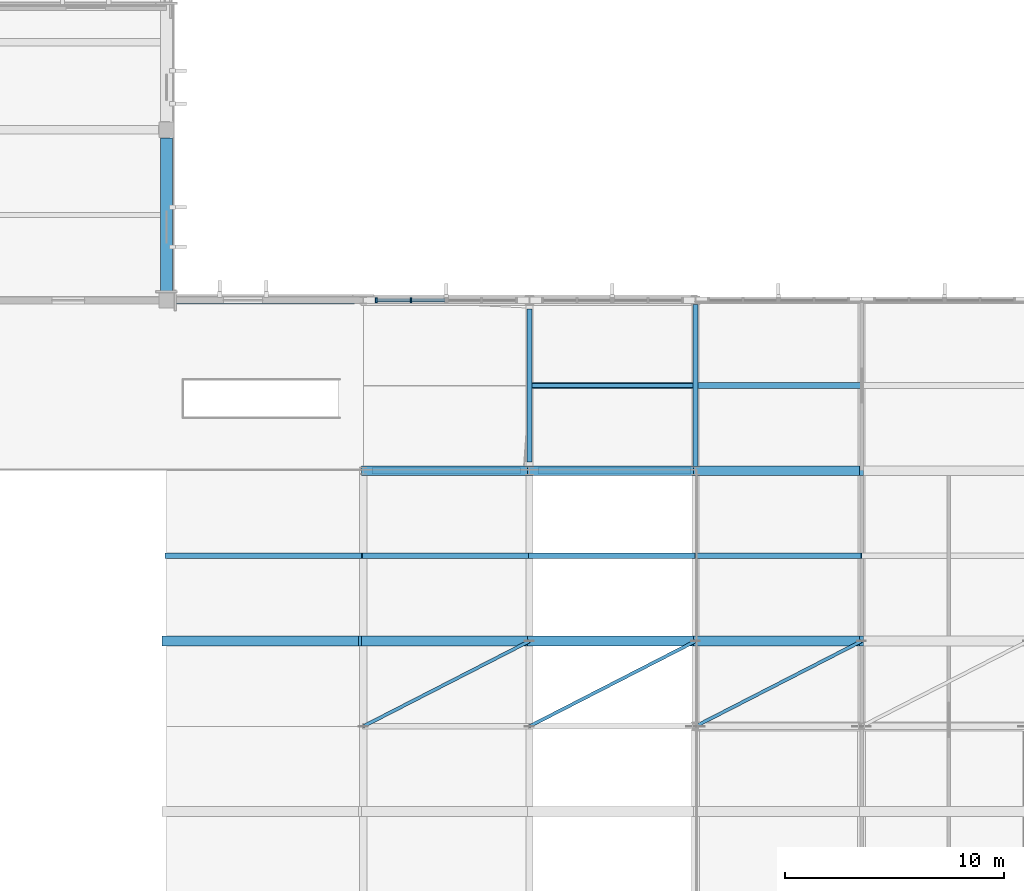
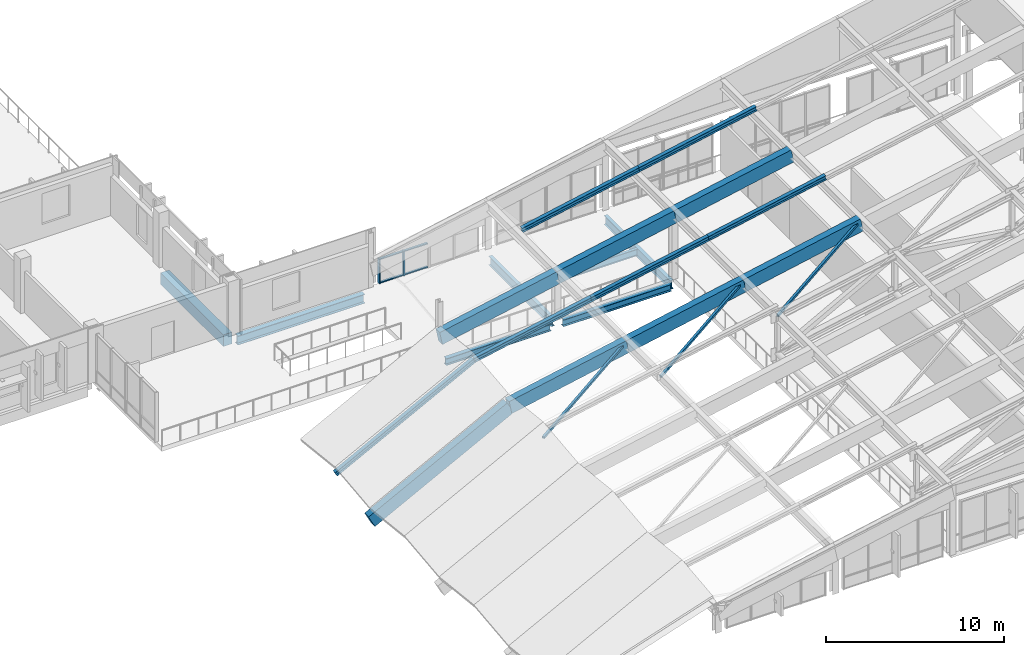
# One storey, part 22 of 73: 15 members, 14 beams, 1 element without a shape of its own.
"""IFC4 building model written with IfcOpenShell, lengths in metres."""

from ifc_helpers import new_model, si_unit, direction, frame, origin, origin_2d, place, context, subcontext, project, spatial, rectangle, hollow_rectangle, i_section, extrude, material, material_profile, profile_set, type_object, element, aggregate, save


model = new_model("IFC4")

# Units and contexts
model_context = context("Model", 3, precision=1e-05, world=origin(), true_north=direction((0.0, 1.0)))
body_context = subcontext(model_context, "Body", "Model", "MODEL_VIEW")
ifc_project = project(units=[si_unit("LENGTHUNIT", "METRE"), si_unit("AREAUNIT", "SQUARE_METRE"), si_unit("VOLUMEUNIT", "CUBIC_METRE"), si_unit("PLANEANGLEUNIT", "RADIAN"), si_unit("MASSUNIT", "GRAM", prefix="KILO")], contexts=[model_context])

# Site, building, storey
site_placement = place(None, origin())
site = spatial("IfcSite", under=ifc_project, at=site_placement, CompositionType="ELEMENT")
building_placement = place(site_placement, origin())
building = spatial("IfcBuilding", under=site, at=building_placement, Name="Vervanel Yard Central Library", CompositionType="ELEMENT")
storey_placement = place(building_placement, frame((0.0, 0.0, 12.780029296875)))
storey = spatial("IfcBuildingStorey", under=building, at=storey_placement, Name="L03", CompositionType="ELEMENT", Elevation=12.780029296875)

# Beams
ifc_material_1 = material(Name="Concrete C40/50", Category="concrete")
ifc_material_profile_1 = material_profile(ifc_material_1, rectangle(XDim=0.550048828125, YDim=0.800048828125, at=origin_2d()), Name="RC 550x800", Category="concrete")
ifc_profile_set_1 = profile_set([ifc_material_profile_1], Name="Concrete C40/50")
beam_type_1 = type_object("IfcBeamType", Name="Concrete Primary Girder 550x800", PredefinedType="BEAM", material=ifc_profile_set_1)
beam_1_placement = place(storey_placement, frame((99.0, 82.574951171875, -0.735107421875), z_axis=(0.0, 1.0, 0.0), x_axis=(-1.0, 0.0, 0.0)))
element("IfcBeam", 1, at=beam_1_placement, inside=storey, type_object=beam_type_1, Name="L03 Girder CB-02 X=99.0 Y=82.2-90.0", PredefinedType="BEAM", context=body_context, shape_type="SweptSolid", body=[
    extrude(rectangle(XDim=0.550048828125, YDim=0.800048828125, at=origin_2d()), origin(), (0.0, 0.0, 1.0), 7.050048828125),
])
ifc_material_2 = material(Name="Concrete C45/55", Category="concrete")
ifc_material_profile_2 = material_profile(ifc_material_2, rectangle(XDim=0.449951171875, YDim=0.89990234375, at=origin_2d()), Name="RC 450x900", Category="concrete")
ifc_profile_set_2 = profile_set([ifc_material_profile_2], Name="Concrete C45/55")
beam_type_2 = type_object("IfcBeamType", Name="Folded Shell Concrete Valley Rib 450x900", PredefinedType="BEAM", material=ifc_profile_set_2)
beam_2_placement = place(storey_placement, frame((99.0, 66.60009765625, -3.4150390625), z_axis=(0.887416545796, 0.0, 0.460968409165), x_axis=(0.0, 1.0, 0.0)))
element("IfcBeam", 2, at=beam_2_placement, inside=storey, type_object=beam_type_2, Name="Folded Shell Valley Rib Bay 2 Y=66.6", PredefinedType="BEAM", context=body_context, shape_type="SweptSolid", body=[
    extrude(rectangle(XDim=0.449951171875, YDim=0.89990234375, at=origin_2d()), origin(), (0.0, 0.0, 1.0), 10.141845703125),
])
for number, where, z_axis, x_axis, name in (
    (3, (108.0, 66.60009765625, 1.260009765625), (0.980653304953, 0.0, 0.195752638515), (0.0, 1.0, 0.0), "Folded Shell Valley Rib Bay 3 Y=66.6"),
    (4, (108.0, 74.39990234375, 1.260009765625), (0.980653304953, 0.0, 0.195752638515), (0.0, 1.0, 0.0), "Folded Shell Valley Rib Bay 3 Y=74.4"),
):
    element("IfcBeam", number, at=place(storey_placement, frame(where, z_axis=z_axis, x_axis=x_axis)), inside=storey, type_object=beam_type_2, Name=name, PredefinedType="BEAM", context=body_context, shape_type="SweptSolid", body=[
        extrude(rectangle(XDim=0.449951171875, YDim=0.89990234375, at=origin_2d()), origin(), (0.0, 0.0, 1.0), 7.75),
    ])
for number, where, z_axis, x_axis, name in (
    (5, (115.60009765625, 66.60009765625, 2.777099609375), (0.980652097773, 0.0, 0.19575868597), (0.0, 1.0, 0.0), "Folded Shell Valley Rib Bay 4 Y=66.6"),
    (6, (115.60009765625, 74.39990234375, 2.777099609375), (0.980652097773, 0.0, 0.19575868597), (0.0, 1.0, 0.0), "Folded Shell Valley Rib Bay 4 Y=74.4"),
):
    element("IfcBeam", number, at=place(storey_placement, frame(where, z_axis=z_axis, x_axis=x_axis)), inside=storey, type_object=beam_type_2, Name=name, PredefinedType="BEAM", context=body_context, shape_type="SweptSolid", body=[
        extrude(rectangle(XDim=0.449951171875, YDim=0.89990234375, at=origin_2d()), origin(), (0.0, 0.0, 1.0), 7.749755859375),
    ])
for number, where, z_axis, x_axis, name in (
    (7, (123.199951171875, 66.60009765625, 4.294189453125), (0.980659351794, 0.0, 0.195722343485), (0.0, 1.0, 0.0), "Folded Shell Valley Rib Bay 5 Y=66.6"),
    (8, (123.199951171875, 74.39990234375, 4.294189453125), (0.980659351794, 0.0, 0.195722343485), (0.0, 1.0, 0.0), "Folded Shell Valley Rib Bay 5 Y=74.4"),
):
    element("IfcBeam", number, at=place(storey_placement, frame(where, z_axis=z_axis, x_axis=x_axis)), inside=storey, type_object=beam_type_2, Name=name, PredefinedType="BEAM", context=body_context, shape_type="SweptSolid", body=[
        extrude(rectangle(XDim=0.449951171875, YDim=0.89990234375, at=origin_2d()), origin(), (0.0, 0.0, 1.0), 7.75),
    ])

# Curtain wall, members
ifc_material_3 = material(Name="Thermally broken anodized aluminium 6063-T6", Category="aluminium")
curtain_wall_type = type_object("IfcCurtainWallType", Name="Prow Cantilever Glazed Curtain Wall", PredefinedType="NOTDEFINED", material=ifc_material_3)
curtain_wall_placement = place(storey_placement, origin())
curtain_wall = element("IfcCurtainWall", 9, at=curtain_wall_placement, inside=storey, type_object=curtain_wall_type, Name="L03 Prow Cantilever Glazed Curtain Wall CWR-L03-108", PredefinedType="NOTDEFINED")
ifc_material_profile_3 = material_profile(ifc_material_3, rectangle(XDim=0.070068359375, YDim=0.219970703125, at=origin_2d()), Name="ALU 70x220", Category="aluminium")
ifc_profile_set_3 = profile_set([ifc_material_profile_3], Name="Thermally broken anodized aluminium 6063-T6")
member_type_1 = type_object("IfcMemberType", Name="Reading Hall Deep Mullion 70x220", PredefinedType="MULLION", material=ifc_profile_set_3)
member_1_placement = place(storey_placement, frame((108.594970703125, 82.199951171875, 0.0), z_axis=(0.0, 0.0, 1.0), x_axis=(1.0, 0.0, 0.0)))
member_1 = element("IfcMember", 10, at=member_1_placement, type_object=member_type_1, Name="CWR-L03-108 Mullion 1", PredefinedType="MULLION", context=body_context, shape_type="SweptSolid", body=[
    extrude(rectangle(XDim=0.070068359375, YDim=0.219970703125, at=origin_2d()), origin(), (0.0, 0.0, 1.0), 1.679931640625),
])
member_2_placement = place(storey_placement, frame((110.179931640625, 82.199951171875, 0.0), z_axis=(0.0, 0.0, 1.0), x_axis=(1.0, 0.0, 0.0)))
member_2 = element("IfcMember", 11, at=member_2_placement, type_object=member_type_1, Name="CWR-L03-108 Mullion 2", PredefinedType="MULLION", context=body_context, shape_type="SweptSolid", body=[
    extrude(rectangle(XDim=0.070068359375, YDim=0.219970703125, at=origin_2d()), origin(), (0.0, 0.0, 1.0), 1.679931640625),
])
ifc_material_profile_4 = material_profile(ifc_material_3, rectangle(XDim=0.070068359375, YDim=0.14990234375, at=origin_2d()), Name="ALU 70x150", Category="aluminium")
ifc_profile_set_4 = profile_set([ifc_material_profile_4], Name="Thermally broken anodized aluminium 6063-T6")
member_type_2 = type_object("IfcMemberType", Name="Reading Hall Deep Transom 70x150", PredefinedType="NOTDEFINED", material=ifc_profile_set_4)
member_3_placement = place(storey_placement, frame((108.6298828125, 82.199951171875, 0.034912109375), z_axis=(1.0, 0.0, 0.0), x_axis=(0.0, 0.0, 1.0)))
member_3 = element("IfcMember", 12, at=member_3_placement, type_object=member_type_2, Name="CWR-L03-108 Transom B1-T1", ObjectType="TRANSOM", PredefinedType="USERDEFINED", context=body_context, shape_type="SweptSolid", body=[
    extrude(rectangle(XDim=0.070068359375, YDim=0.14990234375, at=origin_2d()), origin(), (0.0, 0.0, 1.0), 1.51513671875),
])
member_4_placement = place(storey_placement, frame((108.6298828125, 82.199951171875, 1.64501953125), z_axis=(1.0, 0.0, 0.0), x_axis=(0.0, 0.0, 1.0)))
member_4 = element("IfcMember", 13, at=member_4_placement, type_object=member_type_2, Name="CWR-L03-108 Transom B1-T2", ObjectType="TRANSOM", PredefinedType="USERDEFINED", context=body_context, shape_type="SweptSolid", body=[
    extrude(rectangle(XDim=0.070068359375, YDim=0.14990234375, at=origin_2d()), origin(), (0.0, 0.0, 1.0), 1.51513671875),
])
member_5_placement = place(storey_placement, frame((110.215087890625, 82.199951171875, 0.034912109375), z_axis=(1.0, 0.0, 0.0), x_axis=(0.0, 0.0, 1.0)))
member_5 = element("IfcMember", 14, at=member_5_placement, type_object=member_type_2, Name="CWR-L03-108 Transom B2-T1", ObjectType="TRANSOM", PredefinedType="USERDEFINED", context=body_context, shape_type="SweptSolid", body=[
    extrude(rectangle(XDim=0.070068359375, YDim=0.14990234375, at=origin_2d()), origin(), (0.0, 0.0, 1.0), 1.514892578125),
])
member_6_placement = place(storey_placement, frame((110.215087890625, 82.199951171875, 1.64501953125), z_axis=(1.0, 0.0, 0.0), x_axis=(0.0, 0.0, 1.0)))
member_6 = element("IfcMember", 15, at=member_6_placement, type_object=member_type_2, Name="CWR-L03-108 Transom B2-T2", ObjectType="TRANSOM", PredefinedType="USERDEFINED", context=body_context, shape_type="SweptSolid", body=[
    extrude(rectangle(XDim=0.070068359375, YDim=0.14990234375, at=origin_2d()), origin(), (0.0, 0.0, 1.0), 1.514892578125),
])
aggregate(curtain_wall, [member_1, member_2, member_3, member_4, member_5, member_6])

# Members
ifc_material_4 = material(Name="Steel ASTM A500 Grade C", Category="steel")
ifc_material_profile_5 = material_profile(ifc_material_4, hollow_rectangle(XDim=0.15234375, YDim=0.15234375, WallThickness=0.0087890625, at=origin_2d()), Name="HSS6X6X3/8", Category="steel")
ifc_profile_set_5 = profile_set([ifc_material_profile_5], Name="Steel ASTM A500 Grade C")
member_type_3 = type_object("IfcMemberType", Name="Roof Diaphragm Plan Brace HSS6X6X3/8", PredefinedType="BRACE", material=ifc_profile_set_5)
member_7_placement = place(storey_placement, frame((108.0, 62.699951171875, 1.43994140625), z_axis=(0.875983914444, 0.449529169073, 0.174859108396), x_axis=(-0.45656322619, 0.889690969096, 0.0)))
element("IfcMember", 16, at=member_7_placement, inside=storey, type_object=member_type_3, Name="Shell Diaphragm Plan Brace B3-5", PredefinedType="BRACE", context=body_context, shape_type="SweptSolid", body=[
    extrude(hollow_rectangle(XDim=0.15234375, YDim=0.15234375, WallThickness=0.0087890625, at=origin_2d()), origin(), (0.0, 0.0, 1.0), 8.676025390625),
])
member_8_placement = place(storey_placement, frame((115.60009765625, 62.699951171875, 2.95703125), z_axis=(0.875977367476, 0.449540250102, 0.174863418725), x_axis=(-0.45657483559, 0.889685011398, 0.0)))
element("IfcMember", 17, at=member_8_placement, inside=storey, type_object=member_type_3, Name="Shell Diaphragm Plan Brace B4-5", PredefinedType="BRACE", context=body_context, shape_type="SweptSolid", body=[
    extrude(hollow_rectangle(XDim=0.15234375, YDim=0.15234375, WallThickness=0.0087890625, at=origin_2d()), origin(), (0.0, 0.0, 1.0), 8.67578125),
])
member_9_placement = place(storey_placement, frame((123.199951171875, 62.699951171875, 4.47412109375), z_axis=(0.875983914444, 0.449529169073, 0.174859108396), x_axis=(-0.45656322619, 0.889690969096, 0.0)))
element("IfcMember", 18, at=member_9_placement, inside=storey, type_object=member_type_3, Name="Shell Diaphragm Plan Brace B5-5", PredefinedType="BRACE", context=body_context, shape_type="SweptSolid", body=[
    extrude(hollow_rectangle(XDim=0.15234375, YDim=0.15234375, WallThickness=0.0087890625, at=origin_2d()), origin(), (0.0, 0.0, 1.0), 8.676025390625),
])
ifc_material_5 = material(Name="Steel ASTM A992 Grade 50", Category="steel")
ifc_material_profile_6 = material_profile(ifc_material_5, i_section(OverallWidth=0.25390625, OverallDepth=0.307373046875, WebThickness=0.0087890625, FlangeThickness=0.0146484375, at=origin_2d()), Name="W12X53", Category="steel")
ifc_profile_set_6 = profile_set([ifc_material_profile_6], Name="Steel ASTM A992 Grade 50")
member_type_4 = type_object("IfcMemberType", Name="Shell Roof Purlin W12X53", PredefinedType="PURLIN", material=ifc_profile_set_6)
member_10_placement = place(storey_placement, frame((99.0, 70.5, -2.603271484375), z_axis=(0.887416545796, 0.0, 0.460968409165), x_axis=(0.0, 1.0, 0.0)))
element("IfcMember", 19, at=member_10_placement, inside=storey, type_object=member_type_4, Name="Shell Ridge Purlin Bay 2 Y=70.5", PredefinedType="PURLIN", context=body_context, shape_type="SweptSolid", body=[
    extrude(i_section(OverallWidth=0.25390625, OverallDepth=0.307373046875, WebThickness=0.0087890625, FlangeThickness=0.0146484375, at=origin_2d()), origin(), (0.0, 0.0, 1.0), 10.141845703125),
])
member_11_placement = place(storey_placement, frame((108.0, 70.5, 2.07177734375), z_axis=(0.980653304953, 0.0, 0.195752638515), x_axis=(0.0, 1.0, 0.0)))
element("IfcMember", 20, at=member_11_placement, inside=storey, type_object=member_type_4, Name="Shell Ridge Purlin Bay 3 Y=70.5", PredefinedType="PURLIN", context=body_context, shape_type="SweptSolid", body=[
    extrude(i_section(OverallWidth=0.25390625, OverallDepth=0.307373046875, WebThickness=0.0087890625, FlangeThickness=0.0146484375, at=origin_2d()), origin(), (0.0, 0.0, 1.0), 7.75),
])
for number, where, z_axis, x_axis, name in (
    (21, (115.60009765625, 70.5, 3.5888671875), (0.980652097773, 0.0, 0.19575868597), (0.0, 1.0, 0.0), "Shell Ridge Purlin Bay 4 Y=70.5"),
    (22, (115.60009765625, 78.300048828125, 3.5888671875), (0.980652097773, 0.0, 0.19575868597), (0.0, 1.0, 0.0), "Shell Ridge Purlin Bay 4 Y=78.3"),
):
    element("IfcMember", number, at=place(storey_placement, frame(where, z_axis=z_axis, x_axis=x_axis)), inside=storey, type_object=member_type_4, Name=name, PredefinedType="PURLIN", context=body_context, shape_type="SweptSolid", body=[
        extrude(i_section(OverallWidth=0.25390625, OverallDepth=0.307373046875, WebThickness=0.0087890625, FlangeThickness=0.0146484375, at=origin_2d()), origin(), (0.0, 0.0, 1.0), 7.749755859375),
    ])
for number, where, z_axis, x_axis, name in (
    (23, (123.199951171875, 70.5, 5.10595703125), (0.980659351794, 0.0, 0.195722343485), (0.0, 1.0, 0.0), "Shell Ridge Purlin Bay 5 Y=70.5"),
    (24, (123.199951171875, 78.300048828125, 5.10595703125), (0.980659351794, 0.0, 0.195722343485), (0.0, 1.0, 0.0), "Shell Ridge Purlin Bay 5 Y=78.3"),
):
    element("IfcMember", number, at=place(storey_placement, frame(where, z_axis=z_axis, x_axis=x_axis)), inside=storey, type_object=member_type_4, Name=name, PredefinedType="PURLIN", context=body_context, shape_type="SweptSolid", body=[
        extrude(i_section(OverallWidth=0.25390625, OverallDepth=0.307373046875, WebThickness=0.0087890625, FlangeThickness=0.0146484375, at=origin_2d()), origin(), (0.0, 0.0, 1.0), 7.75),
    ])

# Beams
ifc_material_profile_7 = material_profile(ifc_material_5, i_section(OverallWidth=0.32763671875, OverallDepth=0.622314453125, WebThickness=0.015380859375, FlangeThickness=0.0244140625, at=origin_2d()), Name="W24X131", Category="steel")
ifc_profile_set_7 = profile_set([ifc_material_profile_7], Name="Steel ASTM A992 Grade 50")
beam_type_3 = type_object("IfcBeamType", Name="Steel Primary Girder W24X131", PredefinedType="BEAM", material=ifc_profile_set_7)
beam_3_placement = place(storey_placement, frame((99.375, 82.199951171875, -0.626220703125), z_axis=(1.0, 0.0, 0.0), x_axis=(0.0, 1.0, 0.0)))
element("IfcBeam", 25, at=beam_3_placement, inside=storey, type_object=beam_type_3, Name="L03 Girder SB-02 Y=82.2 X=99.0-108.0", PredefinedType="BEAM", context=body_context, shape_type="SweptSolid", body=[
    extrude(i_section(OverallWidth=0.32763671875, OverallDepth=0.622314453125, WebThickness=0.015380859375, FlangeThickness=0.0244140625, at=origin_2d()), origin(), (0.0, 0.0, 1.0), 8.22509765625),
])
ifc_material_profile_8 = material_profile(ifc_material_5, i_section(OverallWidth=0.22900390625, OverallDepth=0.612060546875, WebThickness=0.011962890625, FlangeThickness=0.01953125, at=origin_2d()), Name="W24X84", Category="steel")
ifc_profile_set_8 = profile_set([ifc_material_profile_8], Name="Steel ASTM A992 Grade 50")
beam_type_4 = type_object("IfcBeamType", Name="Steel Primary Girder W24X84", PredefinedType="BEAM", material=ifc_profile_set_8)
beam_4_placement = place(storey_placement, frame((115.60009765625, 74.800048828125, -0.62109375), z_axis=(0.0, 1.0, 0.0), x_axis=(-1.0, 0.0, 0.0)))
element("IfcBeam", 26, at=beam_4_placement, inside=storey, type_object=beam_type_4, Name="L03 Girder SB-01 X=115.6 Y=74.4-82.2", PredefinedType="BEAM", context=body_context, shape_type="SweptSolid", body=[
    extrude(i_section(OverallWidth=0.22900390625, OverallDepth=0.612060546875, WebThickness=0.011962890625, FlangeThickness=0.01953125, at=origin_2d()), origin(), (0.0, 0.0, 1.0), 7.0),
])
beam_5_placement = place(storey_placement, frame((123.199951171875, 74.599365234375, -0.62109375), z_axis=(0.0, 1.0, 0.0), x_axis=(-1.0, 0.0, 0.0)))
element("IfcBeam", 27, at=beam_5_placement, inside=storey, type_object=beam_type_4, Name="L03 Girder SB-01 X=123.2 Y=74.4-82.2", PredefinedType="BEAM", context=body_context, shape_type="SweptSolid", body=[
    extrude(i_section(OverallWidth=0.22900390625, OverallDepth=0.612060546875, WebThickness=0.011962890625, FlangeThickness=0.01953125, at=origin_2d()), origin(), (0.0, 0.0, 1.0), 7.401123046875),
])
ifc_material_profile_9 = material_profile(ifc_material_5, i_section(OverallWidth=0.191162109375, OverallDepth=0.459716796875, WebThickness=0.010009765625, FlangeThickness=0.01611328125, at=origin_2d()), Name="W18X55", Category="steel")
ifc_profile_set_9 = profile_set([ifc_material_profile_9], Name="Steel ASTM A992 Grade 50")
beam_type_5 = type_object("IfcBeamType", Name="Steel Secondary Joist W18X55", PredefinedType="JOIST", material=ifc_profile_set_9)
beam_6_placement = place(storey_placement, frame((115.714599609375, 78.300048828125, -0.544921875), z_axis=(1.0, 0.0, 0.0), x_axis=(0.0, 1.0, 0.0)))
element("IfcBeam", 28, at=beam_6_placement, inside=storey, type_object=beam_type_5, Name="L03 Floor Joist SJ-03 Y=78.30 X=115.6-123.2", PredefinedType="JOIST", context=body_context, shape_type="SweptSolid", body=[
    extrude(i_section(OverallWidth=0.191162109375, OverallDepth=0.459716796875, WebThickness=0.010009765625, FlangeThickness=0.01611328125, at=origin_2d()), origin(), (0.0, 0.0, 1.0), 7.370849609375),
])
ifc_material_profile_10 = material_profile(ifc_material_5, i_section(OverallWidth=0.281982421875, OverallDepth=0.46728515625, WebThickness=0.01220703125, FlangeThickness=0.01953125, at=origin_2d()), Name="W18X86", Category="steel")
ifc_profile_set_10 = profile_set([ifc_material_profile_10], Name="Steel ASTM A992 Grade 50")
beam_type_6 = type_object("IfcBeamType", Name="Steel Spandrel Beam W18X86", PredefinedType="SPANDREL", material=ifc_profile_set_10)
beam_7_placement = place(storey_placement, frame((108.39990234375, 74.39990234375, -0.548828125), z_axis=(1.0, 0.0, 0.0), x_axis=(0.0, 1.0, 0.0)))
element("IfcBeam", 29, at=beam_7_placement, inside=storey, type_object=beam_type_6, Name="L03 Girder SP-02 Y=74.4 X=108.0-115.6", PredefinedType="SPANDREL", context=body_context, shape_type="SweptSolid", body=[
    extrude(i_section(OverallWidth=0.281982421875, OverallDepth=0.46728515625, WebThickness=0.01220703125, FlangeThickness=0.01953125, at=origin_2d()), origin(), (0.0, 0.0, 1.0), 6.800048828125),
])
beam_8_placement = place(storey_placement, frame((116.0, 74.39990234375, -0.548828125), z_axis=(1.0, 0.0, 0.0), x_axis=(0.0, 1.0, 0.0)))
element("IfcBeam", 30, at=beam_8_placement, inside=storey, type_object=beam_type_6, Name="L03 Girder SP-02 Y=74.4 X=115.6-123.2", PredefinedType="SPANDREL", context=body_context, shape_type="SweptSolid", body=[
    extrude(i_section(OverallWidth=0.281982421875, OverallDepth=0.46728515625, WebThickness=0.01220703125, FlangeThickness=0.01953125, at=origin_2d()), origin(), (0.0, 0.0, 1.0), 6.999267578125),
])

save(model, "model.ifc")
